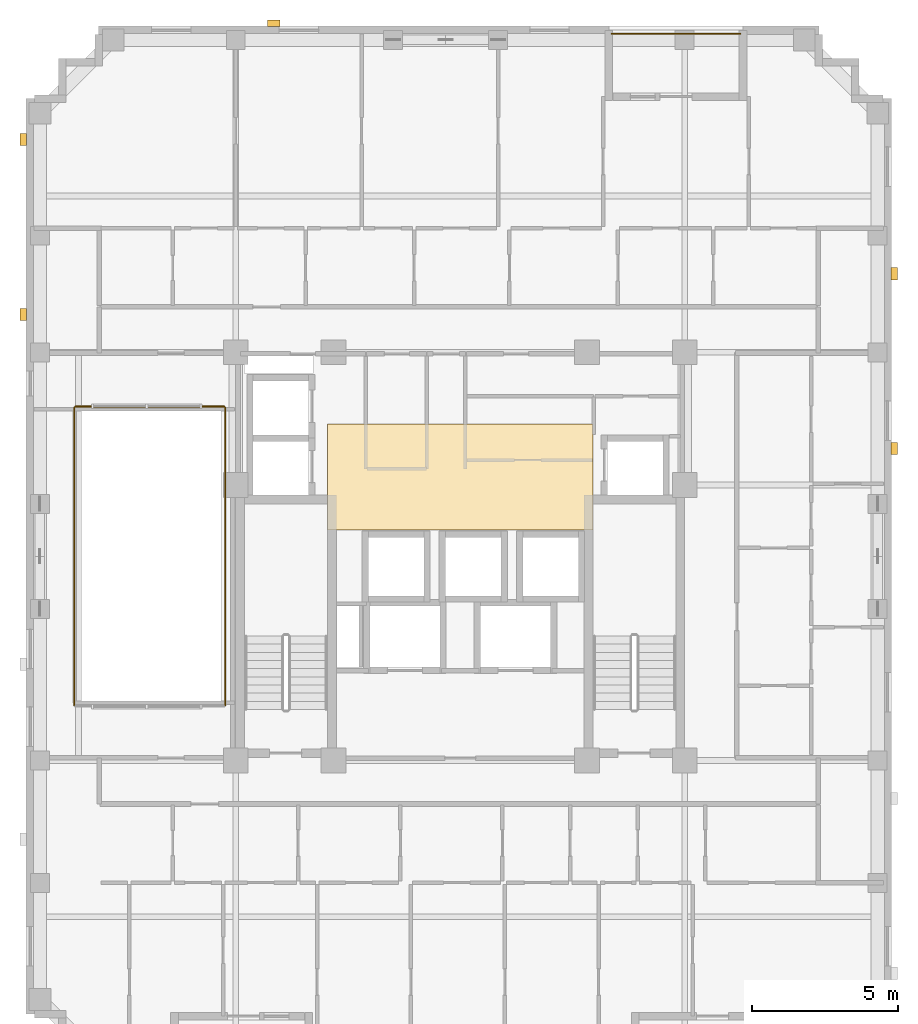
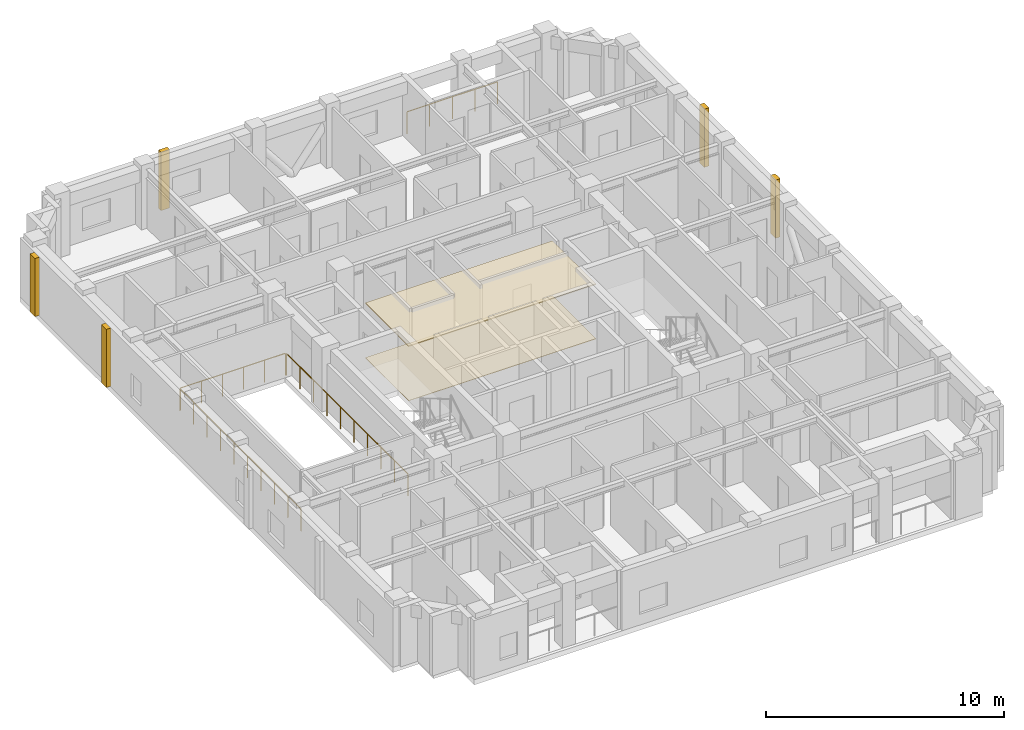
# One storey, part 13 of 13: 7 coverings, 4 railings.
"""IFC4 building model written with IfcOpenShell, lengths in metres."""

from ifc_helpers import new_model, si_unit, derived_unit, direction, frame, origin, origin_2d, place, context, subcontext, project, spatial, polyline, rectangle, circle, outline, extrude, material, layer, layer_set, type_object, element, save


model = new_model("IFC4")

# Units and contexts
model_context = context("Model", 3, precision=1e-05, world=origin(), true_north=direction((0.0, 1.0)))
body_context = subcontext(model_context, "Body", "Model", "MODEL_VIEW")
ifc_project = project(units=[si_unit("LENGTHUNIT", "METRE"), si_unit("AREAUNIT", "SQUARE_METRE"), si_unit("VOLUMEUNIT", "CUBIC_METRE"), si_unit("PLANEANGLEUNIT", "RADIAN"), si_unit("MASSUNIT", "GRAM", prefix="KILO"), derived_unit("THERMALTRANSMITTANCEUNIT", [(si_unit("MASSUNIT", "GRAM", prefix="KILO"), 1), (si_unit("TIMEUNIT", "SECOND"), -3), (si_unit("THERMODYNAMICTEMPERATUREUNIT", "KELVIN"), -1)])], contexts=[model_context])

# Site, building, storey
site_placement = place(None, origin())
site = spatial("IfcSite", under=ifc_project, at=site_placement, CompositionType="ELEMENT")
building_placement = place(site_placement, origin())
building = spatial("IfcBuilding", under=site, at=building_placement, Name="Korrvale Station Residences", CompositionType="ELEMENT")
storey_placement = place(building_placement, frame((0.0, 0.0, 177.699951171875)))
storey = spatial("IfcBuildingStorey", under=building, at=storey_placement, Name="L51", CompositionType="ELEMENT", Elevation=177.699951171875)

# Coverings
ifc_material_1 = material(Name="Perforated acoustic mineral-fibre suspended ceiling", Category="gypsum")
ifc_layer_1 = layer(ifc_material_1, 0.050048828125, Name="Perforated acoustic mineral-fibre suspended ceiling")
ifc_layer_set_1 = layer_set([ifc_layer_1], Name="Perforated acoustic mineral-fibre suspended ceiling")
covering_type_1 = type_object("IfcCoveringType", Name="COV-CLG-AC60", PredefinedType="CEILING", material=ifc_layer_set_1)
covering_1_placement = place(storey_placement, frame((0.0, 0.0, 2.7900390625)))
element("IfcCovering", 1, at=covering_1_placement, inside=storey, type_object=covering_type_1, Name="L51 Elevator Lobby Acoustic Ceiling", PredefinedType="CEILING", context=body_context, shape_type="SweptSolid", body=[
    extrude(outline(polyline([(20.949951171875, 22.89990234375), (30.050048828125, 22.89990234375), (30.050048828125, 26.550048828125), (20.949951171875, 26.550048828125), (20.949951171875, 22.89990234375)])), origin(), (0.0, 0.0, 1.0), 0.050048828125),
])
ifc_material_2 = material(Name="Polished quartz-terrazzo lobby flooring", Category="masonry")
ifc_layer_2 = layer(ifc_material_2, 0.02001953125, Name="Polished quartz-terrazzo lobby flooring")
ifc_layer_set_2 = layer_set([ifc_layer_2], Name="Polished quartz-terrazzo lobby flooring")
covering_type_2 = type_object("IfcCoveringType", Name="COV-FLR-TER20", PredefinedType="FLOORING", material=ifc_layer_set_2)
covering_2_placement = place(storey_placement, origin())
element("IfcCovering", 2, at=covering_2_placement, inside=storey, type_object=covering_type_2, Name="L51 Elevator Lobby Terrazzo Flooring", PredefinedType="FLOORING", context=body_context, shape_type="SweptSolid", body=[
    extrude(outline(polyline([(20.949951171875, 22.89990234375), (30.050048828125, 22.89990234375), (30.050048828125, 26.550048828125), (20.949951171875, 26.550048828125), (20.949951171875, 22.89990234375)])), origin(), (0.0, 0.0, 1.0), 0.02001953125),
])
ifc_material_3 = material(Name="Architectural precast concrete C45/55", Category="concrete")
ifc_layer_3 = layer(ifc_material_3, 0.219970703125, Name="Architectural precast concrete C45/55")
ifc_layer_set_3 = layer_set([ifc_layer_3], Name="Architectural precast concrete C45/55")
covering_type_3 = type_object("IfcCoveringType", Name="COV-PIER-400", PredefinedType="CLADDING", material=ifc_layer_set_3)
for number, where, z_axis, x_axis, name in (
    (3, (19.10009765625, 40.2900390625, 0.02490234375), (0.0, 0.0, 1.0), (1.0, 0.0, 0.0), "L51 Architectural Precast Facade Pier 01"),
    (4, (10.510009765625, 30.300048828125, 0.02490234375), (0.0, 0.0, 1.0), (0.0, 1.0, 0.0), "L51 Architectural Precast Facade Pier 04"),
    (5, (10.510009765625, 36.300048828125, 0.02490234375), (0.0, 0.0, 1.0), (0.0, 1.0, 0.0), "L51 Architectural Precast Facade Pier 05"),
    (6, (40.389892578125, 31.699951171875, 0.02490234375), (0.0, 0.0, 1.0), (0.0, 1.0, 0.0), "L51 Architectural Precast Facade Pier 06"),
    (7, (40.389892578125, 25.699951171875, 0.02490234375), (0.0, 0.0, 1.0), (0.0, 1.0, 0.0), "L51 Architectural Precast Facade Pier 07"),
):
    element("IfcCovering", number, at=place(storey_placement, frame(where, z_axis=z_axis, x_axis=x_axis)), inside=storey, type_object=covering_type_3, Name=name, PredefinedType="CLADDING", context=body_context, shape_type="SweptSolid", body=[
        extrude(rectangle(XDim=0.419921875, YDim=0.219970703125, at=origin_2d()), origin(), (0.0, 0.0, 1.0), 2.989990234375),
    ])

# Railings
ifc_material_4 = material(Name="Laminated glass and brushed bronze interior atrium balustrade", Category="glass")
railing_type_1 = type_object("IfcRailingType", Name="RLG-ATR-1150", PredefinedType="BALUSTRADE", material=ifc_material_4)
railing_1_placement = place(storey_placement, frame((12.300048828125, 27.139892578125, 0.0)))
element("IfcRailing", 8, at=railing_1_placement, inside=storey, type_object=railing_type_1, Name="L51 Atrium Void Balustrade 1-N", PredefinedType="BALUSTRADE", context=body_context, shape_type="SweptSolid", body=[
    extrude(circle(Radius=0.02392578125, at=origin_2d()), frame((0.0, 0.0, 1.1259765625), z_axis=(1.0, 0.0, 0.0), x_axis=(0.0, 1.0, 0.0)), (0.0, 0.0, 1.0), 5.099853515625),
    extrude(circle(Radius=0.02099609375, at=origin_2d()), origin(), (0.0, 0.0, 1.0), 1.101806640625),
    extrude(circle(Radius=0.02099609375, at=origin_2d()), frame((1.02001953125, 0.0, 0.0)), (0.0, 0.0, 1.0), 1.101806640625),
    extrude(circle(Radius=0.02099609375, at=origin_2d()), frame((2.0400390625, 0.0, 0.0)), (0.0, 0.0, 1.0), 1.101806640625),
    extrude(circle(Radius=0.02099609375, at=origin_2d()), frame((3.059814453125, 0.0, 0.0)), (0.0, 0.0, 1.0), 1.101806640625),
    extrude(circle(Radius=0.02099609375, at=origin_2d()), frame((4.079833984375, 0.0, 0.0)), (0.0, 0.0, 1.0), 1.101806640625),
    extrude(circle(Radius=0.02099609375, at=origin_2d()), frame((5.099853515625, 0.0, 0.0)), (0.0, 0.0, 1.0), 1.101806640625),
])
for number, where, name in (
    (9, (12.260009765625, 16.89990234375, 0.0), "L51 Atrium Void Balustrade 1-W"),
    (10, (17.43994140625, 16.89990234375, 0.0), "L51 Atrium Void Balustrade 1-E"),
):
    element("IfcRailing", number, at=place(storey_placement, frame(where)), inside=storey, type_object=railing_type_1, Name=name, PredefinedType="BALUSTRADE", context=body_context, shape_type="SweptSolid", body=[
        extrude(circle(Radius=0.02392578125, at=origin_2d()), frame((0.0, 0.0, 1.1259765625), z_axis=(0.0, 1.0, 0.0), x_axis=(-1.0, 0.0, 0.0)), (0.0, 0.0, 1.0), 10.2001953125),
        extrude(circle(Radius=0.02099609375, at=origin_2d()), origin(), (0.0, 0.0, 1.0), 1.101806640625),
        extrude(circle(Radius=0.02099609375, at=origin_2d()), frame((0.0, 1.13330078125, 0.0)), (0.0, 0.0, 1.0), 1.101806640625),
        extrude(circle(Radius=0.02099609375, at=origin_2d()), frame((0.0, 2.2666015625, 0.0)), (0.0, 0.0, 1.0), 1.101806640625),
        extrude(circle(Radius=0.02099609375, at=origin_2d()), frame((0.0, 3.400146484375, 0.0)), (0.0, 0.0, 1.0), 1.101806640625),
        extrude(circle(Radius=0.02099609375, at=origin_2d()), frame((0.0, 4.533447265625, 0.0)), (0.0, 0.0, 1.0), 1.101806640625),
        extrude(circle(Radius=0.02099609375, at=origin_2d()), frame((0.0, 5.666748046875, 0.0)), (0.0, 0.0, 1.0), 1.101806640625),
        extrude(circle(Radius=0.02099609375, at=origin_2d()), frame((0.0, 6.800048828125, 0.0)), (0.0, 0.0, 1.0), 1.101806640625),
        extrude(circle(Radius=0.02099609375, at=origin_2d()), frame((0.0, 7.93359375, 0.0)), (0.0, 0.0, 1.0), 1.101806640625),
        extrude(circle(Radius=0.02099609375, at=origin_2d()), frame((0.0, 9.06689453125, 0.0)), (0.0, 0.0, 1.0), 1.101806640625),
        extrude(circle(Radius=0.02099609375, at=origin_2d()), frame((0.0, 10.2001953125, 0.0)), (0.0, 0.0, 1.0), 1.101806640625),
    ])
ifc_material_5 = material(Name="Powder-coated aluminium picket loggia guard", Category="aluminium")
railing_type_2 = type_object("IfcRailingType", Name="RLG-BAL-1150", PredefinedType="GUARDRAIL", material=ifc_material_5)
railing_2_placement = place(storey_placement, frame((30.699951171875, 39.929931640625, 0.0)))
element("IfcRailing", 11, at=railing_2_placement, inside=storey, type_object=railing_type_2, Name="L51 Recessed Loggia Guardrail BAL-L51-N1", PredefinedType="GUARDRAIL", context=body_context, shape_type="SweptSolid", body=[
    extrude(circle(Radius=0.02392578125, at=origin_2d()), frame((0.0, 0.0, 1.1259765625), z_axis=(1.0, 0.0, 0.0), x_axis=(0.0, 1.0, 0.0)), (0.0, 0.0, 1.0), 4.400146484375),
    extrude(circle(Radius=0.02099609375, at=origin_2d()), origin(), (0.0, 0.0, 1.0), 1.101806640625),
    extrude(circle(Radius=0.02099609375, at=origin_2d()), frame((1.10009765625, 0.0, 0.0)), (0.0, 0.0, 1.0), 1.101806640625),
    extrude(circle(Radius=0.02099609375, at=origin_2d()), frame((2.2001953125, 0.0, 0.0)), (0.0, 0.0, 1.0), 1.101806640625),
    extrude(circle(Radius=0.02099609375, at=origin_2d()), frame((3.300048828125, 0.0, 0.0)), (0.0, 0.0, 1.0), 1.101806640625),
    extrude(circle(Radius=0.02099609375, at=origin_2d()), frame((4.400146484375, 0.0, 0.0)), (0.0, 0.0, 1.0), 1.101806640625),
])

save(model, "model.ifc")
